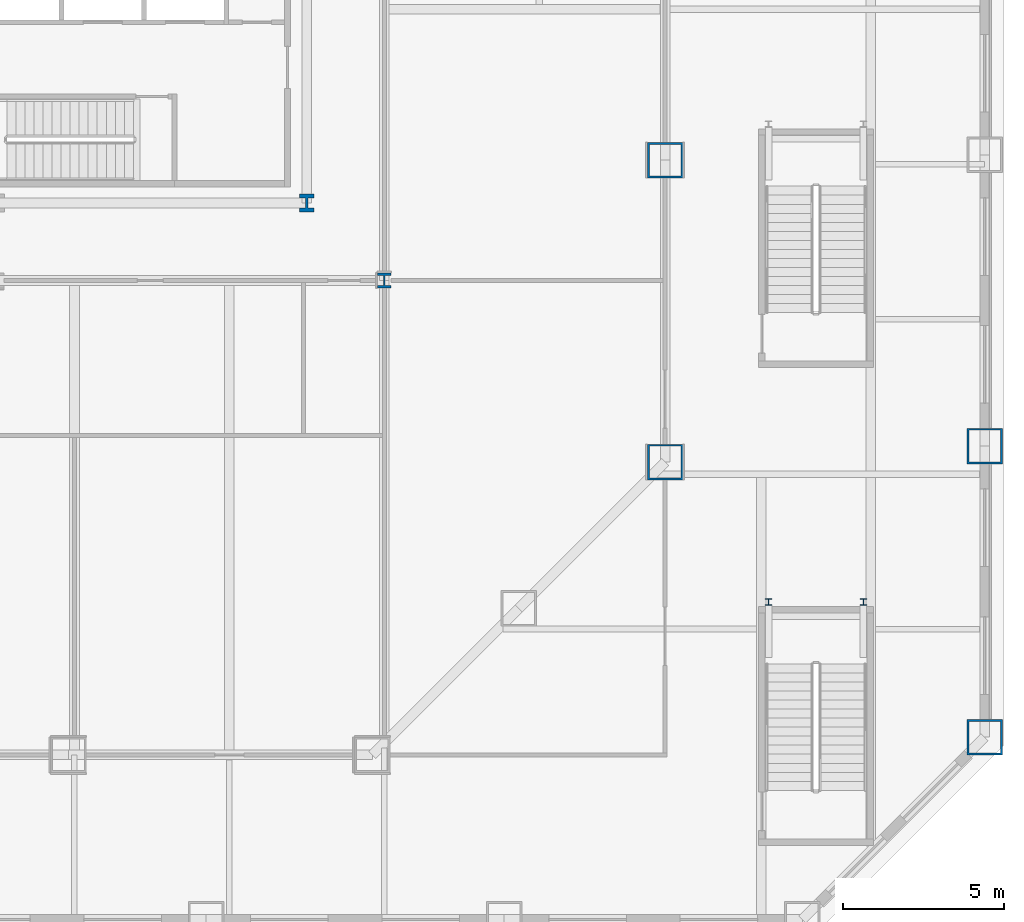
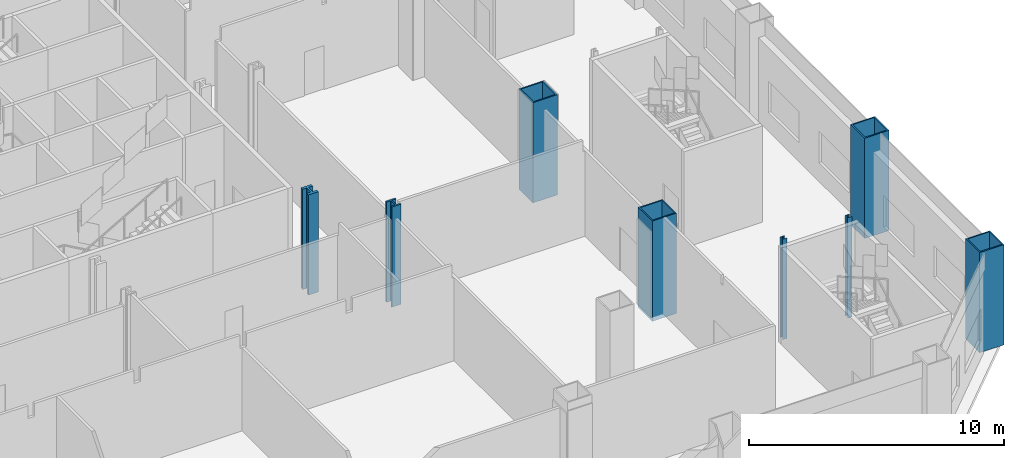
# One storey, part 5 of 26: 8 columns.
"""IFC4 building model written with IfcOpenShell, lengths in metres."""

from ifc_helpers import new_model, si_unit, direction, frame, origin, origin_2d, place, context, subcontext, project, spatial, hollow_rectangle, i_section, extrude, material, material_profile, profile_set, type_object, element, save


model = new_model("IFC4")

# Units and contexts
model_context = context("Model", 3, precision=1e-05, world=origin(), true_north=direction((0.0, 1.0)))
body_context = subcontext(model_context, "Body", "Model", "MODEL_VIEW")
ifc_project = project(units=[si_unit("LENGTHUNIT", "METRE"), si_unit("AREAUNIT", "SQUARE_METRE"), si_unit("VOLUMEUNIT", "CUBIC_METRE"), si_unit("PLANEANGLEUNIT", "RADIAN"), si_unit("MASSUNIT", "GRAM", prefix="KILO")], contexts=[model_context])

# Site, building, storey
site_placement = place(None, origin())
site = spatial("IfcSite", under=ifc_project, at=site_placement, CompositionType="ELEMENT")
building_placement = place(site_placement, origin())
building = spatial("IfcBuilding", under=site, at=building_placement, Name="Cairn Pilgrim Tower", CompositionType="ELEMENT")
storey_placement = place(building_placement, frame((0.0, 0.0, 21.0)))
storey = spatial("IfcBuildingStorey", under=building, at=storey_placement, Name="L03", CompositionType="ELEMENT", Elevation=21.0)

# Columns
ifc_material_1 = material(Name="Structural steel S460M", Category="steel")
ifc_material_profile_1 = material_profile(ifc_material_1, hollow_rectangle(XDim=1.10009765625, YDim=1.10009765625, WallThickness=0.06005859375, at=origin_2d()), Name="BOX 1100x1100x60")
ifc_profile_set_1 = profile_set([ifc_material_profile_1], Name="Structural steel S460M")
column_type_1 = type_object("IfcColumnType", Name="BOX 1100x1100x60", PredefinedType="COLUMN", material=ifc_profile_set_1)
for number, where, z_axis, x_axis, name in (
    (1, (27.89990234375, -14.027099609375, -0.199951171875), (0.0, 0.0, 1.0), (1.0, 0.0, 0.0), "PC1-E1"),
    (2, (27.89990234375, -4.67578125, -0.199951171875), (0.0, 0.0, 1.0), (1.0, 0.0, 0.0), "PC1-E2"),
):
    element("IfcColumn", number, at=place(storey_placement, frame(where, z_axis=z_axis, x_axis=x_axis)), inside=storey, type_object=column_type_1, Name=name, PredefinedType="COLUMN", context=body_context, shape_type="SweptSolid", body=[
        extrude(hollow_rectangle(XDim=1.10009765625, YDim=1.10009765625, WallThickness=0.06005859375, at=origin_2d()), origin(), (0.0, 0.0, 1.0), 4.800048828125),
    ])
ifc_material_profile_2 = material_profile(ifc_material_1, i_section(OverallWidth=0.4541015625, OverallDepth=0.569091796875, WebThickness=0.077880859375, FlangeThickness=0.125, FilletRadius=0.014892578125, at=origin_2d()), Name="HD 400x1086")
ifc_profile_set_2 = profile_set([ifc_material_profile_2], Name="Structural steel S460M")
column_type_2 = type_object("IfcColumnType", Name="HD 400x1086", PredefinedType="COLUMN", material=ifc_profile_set_2)
column_1_placement = place(storey_placement, frame((16.800048828125, -6.0, -0.199951171875), z_axis=(0.0, 0.0, 1.0), x_axis=(1.0, 0.0, 0.0)))
element("IfcColumn", 3, at=column_1_placement, inside=storey, type_object=column_type_2, Name="KC-3", PredefinedType="COLUMN", context=body_context, shape_type="SweptSolid", body=[
    extrude(i_section(OverallWidth=0.4541015625, OverallDepth=0.569091796875, WebThickness=0.077880859375, FlangeThickness=0.125, FilletRadius=0.014892578125, at=origin_2d()), origin(), (0.0, 0.0, 1.0), 4.800048828125),
])
ifc_material_profile_3 = material_profile(ifc_material_1, i_section(OverallWidth=0.424072265625, OverallDepth=0.47412109375, WebThickness=0.047607421875, FlangeThickness=0.0771484375, FilletRadius=0.014892578125, at=origin_2d()), Name="HD 400x634")
ifc_profile_set_3 = profile_set([ifc_material_profile_3], Name="Structural steel S460M")
column_type_3 = type_object("IfcColumnType", Name="HD 400x634", PredefinedType="COLUMN", material=ifc_profile_set_3)
column_2_placement = place(storey_placement, frame((19.199951171875, -8.39990234375, -0.199951171875), z_axis=(0.0, 0.0, 1.0), x_axis=(1.0, 0.0, 0.0)))
element("IfcColumn", 4, at=column_2_placement, inside=storey, type_object=column_type_3, Name="IC-3", PredefinedType="COLUMN", context=body_context, shape_type="SweptSolid", body=[
    extrude(i_section(OverallWidth=0.424072265625, OverallDepth=0.47412109375, WebThickness=0.047607421875, FlangeThickness=0.0771484375, FilletRadius=0.014892578125, at=origin_2d()), origin(), (0.0, 0.0, 1.0), 4.800048828125),
])
ifc_material_profile_4 = material_profile(ifc_material_1, hollow_rectangle(XDim=1.10009765625, YDim=1.10009765625, WallThickness=0.06005859375, at=origin_2d()), Name="BOX 1100x1100x60")
ifc_profile_set_4 = profile_set([ifc_material_profile_4], Name="Structural steel S460M")
column_type_4 = type_object("IfcColumnType", Name="PILOTIS CFT 1100", PredefinedType="COLUMN", material=ifc_profile_set_4)
for number, where, z_axis, x_axis, name in (
    (5, (37.800048828125, -22.551513671875, 0.0), (0.0, 0.0, 1.0), (1.0, 0.0, 0.0), "PILOTIS PL-E1"),
    (6, (37.800048828125, -13.531005859375, 0.0), (0.0, 0.0, 1.0), (1.0, 0.0, 0.0), "PILOTIS PL-E2"),
):
    element("IfcColumn", number, at=place(storey_placement, frame(where, z_axis=z_axis, x_axis=x_axis)), inside=storey, type_object=column_type_4, Name=name, PredefinedType="COLUMN", context=body_context, shape_type="SweptSolid", body=[
        extrude(hollow_rectangle(XDim=1.10009765625, YDim=1.10009765625, WallThickness=0.06005859375, at=origin_2d()), origin(), (0.0, 0.0, 1.0), 4.800048828125),
    ])
ifc_material_2 = material(Name="Structural steel S355J2", Category="steel")
ifc_material_profile_5 = material_profile(ifc_material_2, i_section(OverallWidth=0.199951171875, OverallDepth=0.199951171875, WebThickness=0.009033203125, FlangeThickness=0.014892578125, FilletRadius=0.01806640625, at=origin_2d()), Name="HE 200 B")
ifc_profile_set_5 = profile_set([ifc_material_profile_5], Name="Structural steel S355J2")
column_type_5 = type_object("IfcColumnType", Name="STAIR POST HE 200 B", PredefinedType="COLUMN", material=ifc_profile_set_5)
for number, where, z_axis, x_axis, name in (
    (7, (31.10498046875, -18.360107421875, 0.0), (0.0, 0.0, 1.0), (1.0, 0.0, 0.0), "STAIR POST LP-ES1-NA"),
    (8, (34.044921875, -18.360107421875, 0.0), (0.0, 0.0, 1.0), (1.0, 0.0, 0.0), "STAIR POST LP-ES1-NB"),
):
    element("IfcColumn", number, at=place(storey_placement, frame(where, z_axis=z_axis, x_axis=x_axis)), inside=storey, type_object=column_type_5, Name=name, PredefinedType="COLUMN", context=body_context, shape_type="SweptSolid", body=[
        extrude(i_section(OverallWidth=0.199951171875, OverallDepth=0.199951171875, WebThickness=0.009033203125, FlangeThickness=0.014892578125, FilletRadius=0.01806640625, at=origin_2d()), origin(), (0.0, 0.0, 1.0), 4.800048828125),
    ])

save(model, "model.ifc")
